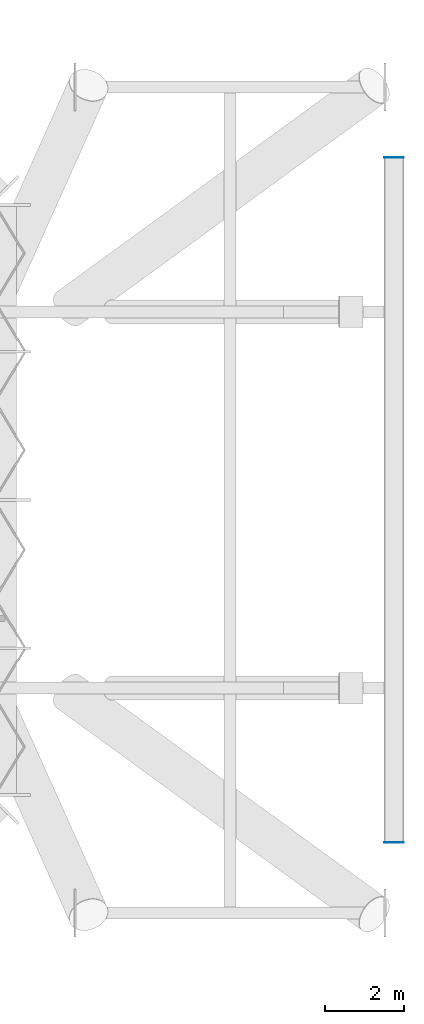
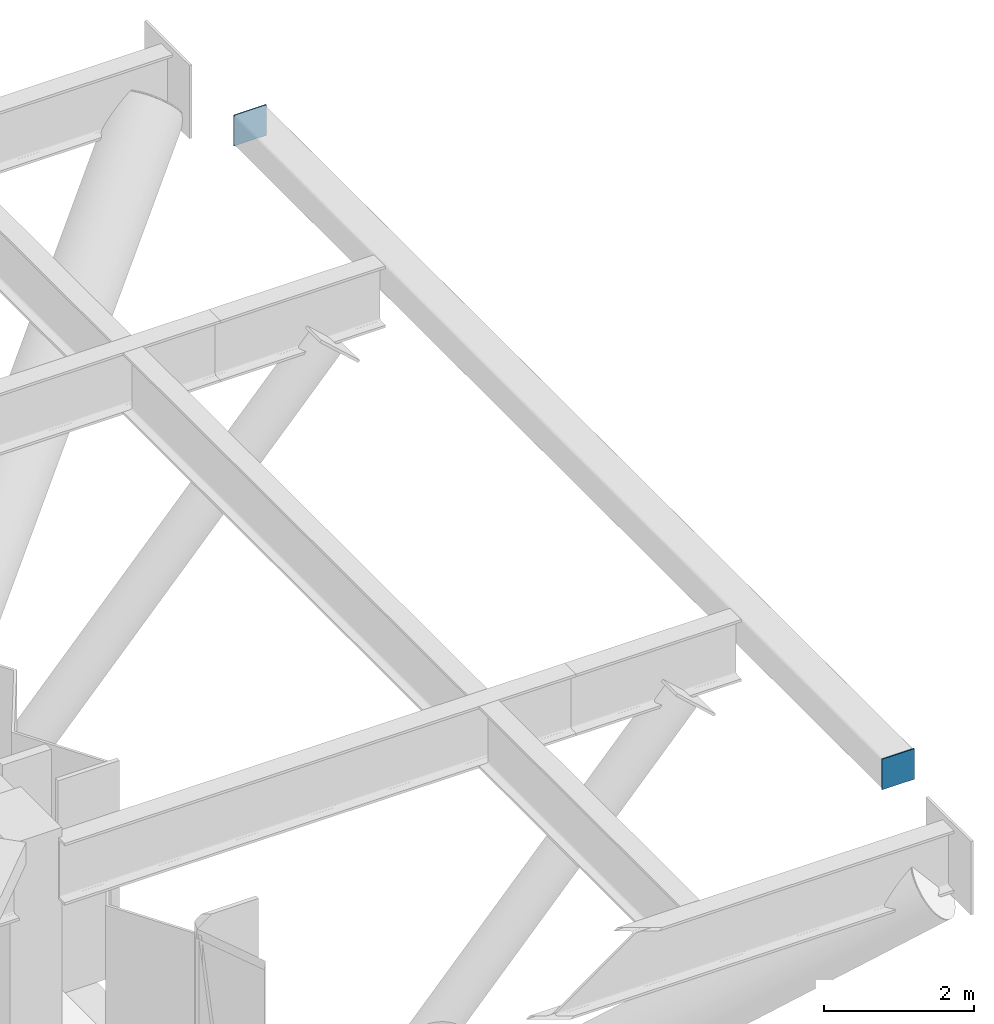
# One storey, part 5 of 11: 2 plates.
"""IFC4 building model written with IfcOpenShell, lengths in metres."""

from ifc_helpers import new_model, si_unit, direction, frame, origin, origin_2d, place, context, subcontext, project, spatial, rectangle, extrude, material, material_profile, profile_set, type_object, element, save


model = new_model("IFC4")

# Units and contexts
model_context = context("Model", 3, precision=1e-05, world=origin(), true_north=direction((0.0, 1.0)))
body_context = subcontext(model_context, "Body", "Model", "MODEL_VIEW")
ifc_project = project(units=[si_unit("LENGTHUNIT", "METRE"), si_unit("AREAUNIT", "SQUARE_METRE"), si_unit("VOLUMEUNIT", "CUBIC_METRE"), si_unit("PLANEANGLEUNIT", "RADIAN"), si_unit("MASSUNIT", "GRAM", prefix="KILO")], contexts=[model_context])

# Site, building, storey
site_placement = place(None, origin())
site = spatial("IfcSite", under=ifc_project, at=site_placement, CompositionType="ELEMENT")
building_placement = place(site_placement, origin())
building = spatial("IfcBuilding", under=site, at=building_placement, Name="Brevane Broadcast Tower", CompositionType="ELEMENT")
storey_placement = place(building_placement, frame((0.0, 0.0, 219.300048828125)))
storey = spatial("IfcBuildingStorey", under=building, at=storey_placement, Name="L55", CompositionType="ELEMENT", Elevation=219.300048828125)

# Plates
ifc_material = material(Name="Steel S355", Category="steel")
ifc_material_profile = material_profile(ifc_material, rectangle(XDim=0.5, YDim=0.5, at=origin_2d()), Name="PL 500x500 x 15")
ifc_profile_set = profile_set([ifc_material_profile], Name="Steel S355")
plate_type = type_object("IfcPlateType", Name="STEEL END CAP PLATE 500x500 x 15", PredefinedType="SHEET", material=ifc_profile_set)
for number, where, z_axis, x_axis, name in (
    (1, (61.449951171875, 3.925048828125, 2.949951171875), (0.0, 1.0, 0.0), (-1.0, 0.0, 0.0), "End cap plate EC4-58"),
    (2, (61.449951171875, 21.260009765625, 2.949951171875), (0.0, 1.0, 0.0), (-1.0, 0.0, 0.0), "End cap plate EC4-59"),
):
    element("IfcPlate", number, at=place(storey_placement, frame(where, z_axis=z_axis, x_axis=x_axis)), inside=storey, type_object=plate_type, Name=name, PredefinedType="SHEET", context=body_context, shape_type="SweptSolid", body=[
        extrude(rectangle(XDim=0.5, YDim=0.5, at=origin_2d()), origin(), (0.0, 0.0, 1.0), 0.014892578125),
    ])

save(model, "model.ifc")
